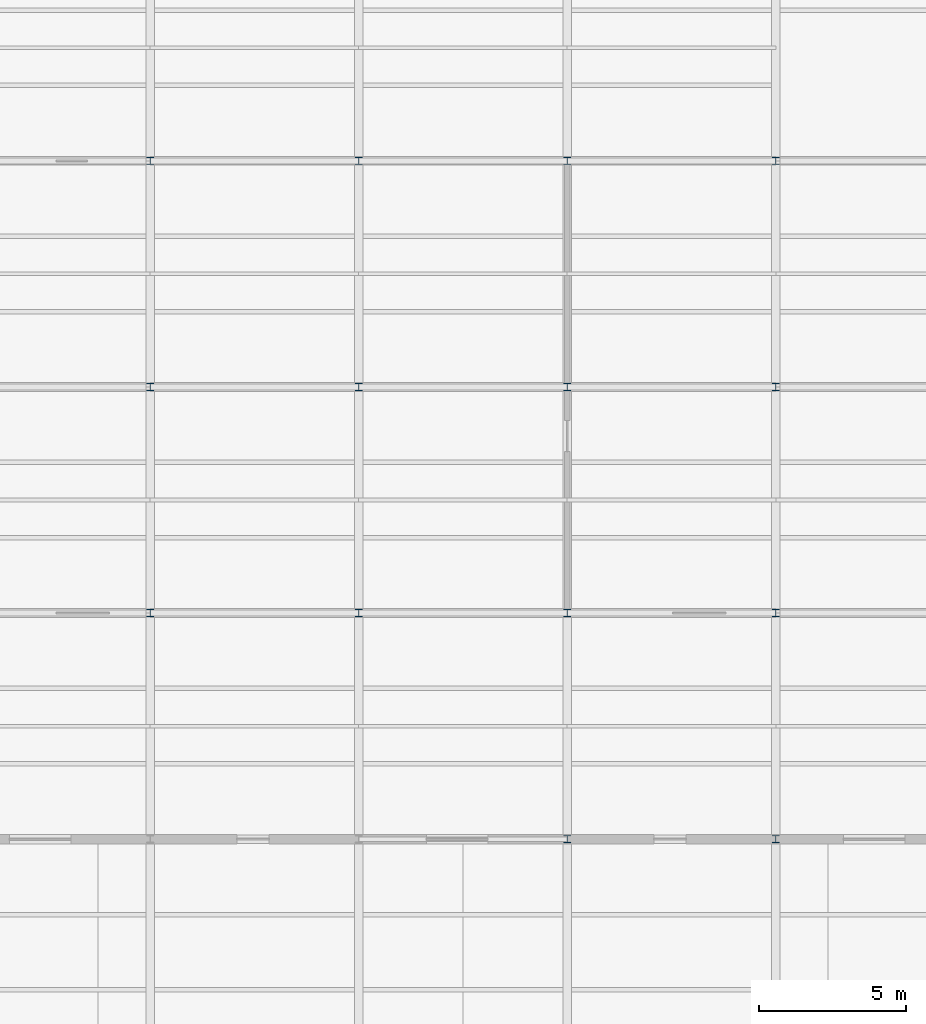
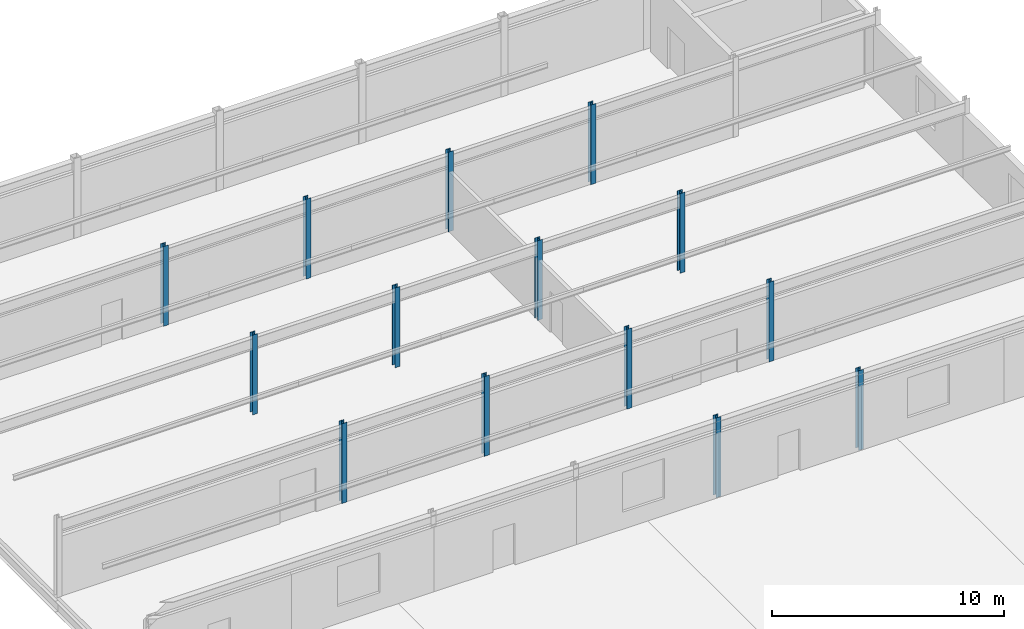
# One storey, part 11 of 39: 14 columns.
"""IFC4 building model written with IfcOpenShell, lengths in metres."""

import ifcopenshell
import ifcopenshell.guid

model = None  # the IFC model being written
_history = None  # IfcOwnerHistory: only IFC2X3 demands one
_inside = {}  # id of a spatial element -> (the spatial element, [elements in it])
_under = {}  # id of a project, library or spatial element -> (it, [spatial elements below it])
_declared = {}  # id of a project -> (the project, [libraries it declares])
_typed = {}  # id of a type object -> (the type object, [elements of that type])
_made_of = {}  # id of a material, layer set ... -> (it, [elements and type objects made of it])


def new_model(schema):
    """Start an empty IFC model of exactly this schema.

    Asked for "IFC4X3", IfcOpenShell would pick the latest addendum, in which some entities
    have other attributes; the version numbers below select the first issue.
    IFC2X3 requires an IfcOwnerHistory on every rooted entity: one is made here for all.
    """
    global model, _history
    if schema == "IFC4X3":
        model = ifcopenshell.file(schema_version=(4, 3, 0, 0))
    else:
        model = ifcopenshell.file(schema=schema)
    _inside.clear()
    _under.clear()
    _declared.clear()
    _typed.clear()
    _made_of.clear()
    _history = None
    if model.schema == "IFC2X3":
        org = make("IfcOrganization", Name="unknown")
        user = make(
            "IfcPersonAndOrganization",
            ThePerson=make("IfcPerson", FamilyName="unknown"),
            TheOrganization=org,
        )
        app = make(
            "IfcApplication",
            ApplicationDeveloper=org,
            Version="unknown",
            ApplicationFullName="unknown",
            ApplicationIdentifier="unknown",
        )
        _history = make(
            "IfcOwnerHistory",
            OwningUser=user,
            OwningApplication=app,
            ChangeAction="ADDED",
            CreationDate=0,
        )
    return model


def make(cls, **values):
    """One entity of the class cls with the attributes given. An attribute that is None is left unset."""
    return model.create_entity(
        cls, **{name: value for name, value in values.items() if value is not None}
    )


def rooted(cls, **values):
    """An entity with a GlobalId (a new one), such as an element, a storey or a relation."""
    return make(cls, GlobalId=ifcopenshell.guid.new(), OwnerHistory=_history, **values)


def si_unit(unit_type, name, prefix=None):
    """IfcSIUnit, for example si_unit("LENGTHUNIT", "METRE", prefix="MILLI")."""
    return make("IfcSIUnit", UnitType=unit_type, Prefix=prefix, Name=name)


def assignment(units):
    """IfcUnitAssignment: the units of a project."""
    return None if units is None else make("IfcUnitAssignment", Units=units)


def point(xyz):
    """IfcCartesianPoint."""
    return None if xyz is None else make("IfcCartesianPoint", Coordinates=xyz)


def direction(xyz):
    """IfcDirection."""
    return None if xyz is None else make("IfcDirection", DirectionRatios=xyz)


def frame(location, z_axis=None, x_axis=None):
    """IfcAxis2Placement3D, a coordinate frame: its origin and axes. An axis left out is left unset."""
    return make(
        "IfcAxis2Placement3D",
        Location=point(location),
        Axis=direction(z_axis),
        RefDirection=direction(x_axis),
    )


def frame_2d(location, x_axis=None):
    """IfcAxis2Placement2D, a coordinate frame in the plane: its origin and x axis."""
    return make(
        "IfcAxis2Placement2D", Location=point(location), RefDirection=direction(x_axis)
    )


def origin():
    """The frame at (0, 0, 0) with its axes left unset."""
    return frame((0.0, 0.0, 0.0))


def origin_2d():
    """The frame at (0, 0) in the plane with its x axis left unset."""
    return frame_2d((0.0, 0.0))


def place(relative_to, where):
    """IfcLocalPlacement: puts the frame where relative to a parent placement (None: the world)."""
    return make(
        "IfcLocalPlacement", PlacementRelTo=relative_to, RelativePlacement=where
    )


def context(
    kind, dimensions, precision=None, world=None, true_north=None, identifier=None
):
    """IfcGeometricRepresentationContext, for example the 3D "Model" context."""
    return make(
        "IfcGeometricRepresentationContext",
        ContextIdentifier=identifier,
        ContextType=kind,
        CoordinateSpaceDimension=dimensions,
        Precision=precision,
        WorldCoordinateSystem=world,
        TrueNorth=true_north,
    )


def subcontext(parent, identifier, kind, view, scale=None):
    """IfcGeometricRepresentationSubContext, for example "Body" below "Model"."""
    return make(
        "IfcGeometricRepresentationSubContext",
        ContextIdentifier=identifier,
        ContextType=kind,
        ParentContext=parent,
        TargetScale=scale,
        TargetView=view,
    )


def project(units=None, contexts=None):
    """IfcProject with its units and contexts."""
    return rooted(
        "IfcProject",
        Name="project",
        RepresentationContexts=contexts,
        UnitsInContext=assignment(units),
    )


def spatial(cls, under=None, at=None, **own):
    """A site, building, storey or space (cls), placed at a placement, below another one or the project."""
    s = rooted(cls, ObjectPlacement=at, **own)
    if under is not None:
        _under.setdefault(under.id(), (under, []))[1].append(s)
    return s


def profile(cls, at=None, kind="AREA", **sizes):
    """A parametric profile (cls). Its sizes go by their IFC names, for example OverallWidth=200.0."""
    return make(cls, ProfileType=kind, Position=at, **sizes)


def i_section(**sizes):
    """IfcIShapeProfileDef."""
    return profile("IfcIShapeProfileDef", **sizes)


def extrude(swept, where, along, depth):
    """IfcExtrudedAreaSolid: the profile swept, set in the frame where, extruded along a direction by depth."""
    return make(
        "IfcExtrudedAreaSolid",
        SweptArea=swept,
        Position=where,
        ExtrudedDirection=direction(along),
        Depth=depth,
    )


def shape(context_of_items, identifier, shape_type, items):
    """IfcShapeRepresentation: the items that make up one representation, for example the "Body"."""
    return make(
        "IfcShapeRepresentation",
        ContextOfItems=context_of_items,
        RepresentationIdentifier=identifier,
        RepresentationType=shape_type,
        Items=items,
    )


def material(Name=None, Category=None):
    """IfcMaterial."""
    return make("IfcMaterial", Name=Name, Category=Category)


def material_profile(
    of_material, cross_section, Name=None, Category=None, Priority=None
):
    """IfcMaterialProfile: a cross section and its material."""
    return make(
        "IfcMaterialProfile",
        Name=Name,
        Material=of_material,
        Profile=cross_section,
        Priority=Priority,
        Category=Category,
    )


def profile_set(profiles, Name=None, composite=None):
    """IfcMaterialProfileSet."""
    return make(
        "IfcMaterialProfileSet",
        Name=Name,
        MaterialProfiles=profiles,
        CompositeProfile=composite,
    )


def made_of(thing, what):
    """Note that an element or type object is made of a material, layer set ...; save() writes the relation."""
    if what is not None:
        _made_of.setdefault(what.id(), (what, []))[1].append(thing)
    return thing


def type_object(cls, material=None, **own):
    """A type object (cls), such as IfcWallType, which elements share."""
    return made_of(rooted(cls, **own), material)


def element(
    cls,
    number,
    at=None,
    inside=None,
    cuts=None,
    type_object=None,
    material=None,
    context=None,
    identifier="Body",
    shape_type=None,
    held_by="IfcProductDefinitionShape",
    body=None,
    shapes=None,
    **own,
):
    """One element of the class cls, such as IfcWall. Its Tag is "e" and its number.

    at: its placement. inside: the storey or other place that contains it. cuts: it is an
    opening in that element (IfcRelVoidsElement). A single representation is given by context,
    identifier, shape_type and body (its items); several are given by shapes. held_by: the class
    of the entity that holds the representations. save() writes the other relations.
    """
    e = rooted(cls, Tag="e%d" % number, ObjectPlacement=at, **own)
    if body is not None:
        shapes = [shape(context, identifier, shape_type, body)]
    if shapes is not None:
        e.Representation = make(held_by, Representations=shapes)
    if inside is not None:
        _inside.setdefault(inside.id(), (inside, []))[1].append(e)
    if cuts is not None:
        rooted(
            "IfcRelVoidsElement", RelatingBuildingElement=cuts, RelatedOpeningElement=e
        )
    if type_object is not None:
        _typed.setdefault(type_object.id(), (type_object, []))[1].append(e)
    return made_of(e, material)


def aggregate(whole, parts):
    """IfcRelAggregates: a whole, such as a stair, and the parts it consists of."""
    return rooted("IfcRelAggregates", RelatingObject=whole, RelatedObjects=parts)


def save(model, path):
    """Write the relations noted so far, then the file.

    IfcRelAggregates (storeys below a building ...), IfcRelContainedInSpatialStructure (elements
    in a storey), IfcRelDefinesByType, IfcRelAssociatesMaterial and IfcRelDeclares: one each for
    every whole, place, type object, material and project.
    """
    for whole, parts in _under.values():
        aggregate(whole, parts)
    for where, things in _inside.values():
        rooted(
            "IfcRelContainedInSpatialStructure",
            RelatedElements=things,
            RelatingStructure=where,
        )
    for kind, things in _typed.values():
        rooted("IfcRelDefinesByType", RelatedObjects=things, RelatingType=kind)
    for what, things in _made_of.values():
        rooted("IfcRelAssociatesMaterial", RelatedObjects=things, RelatingMaterial=what)
    for by, libraries in _declared.values():
        rooted("IfcRelDeclares", RelatingContext=by, RelatedDefinitions=libraries)
    model.write(path)


model = new_model("IFC4")

# Units and contexts
model_context = context("Model", 3, precision=1e-05, world=origin(), true_north=direction((0.0, 1.0)))
body_context = subcontext(model_context, "Body", "Model", "MODEL_VIEW")
ifc_project = project(units=[si_unit("LENGTHUNIT", "METRE"), si_unit("AREAUNIT", "SQUARE_METRE"), si_unit("VOLUMEUNIT", "CUBIC_METRE"), si_unit("PLANEANGLEUNIT", "RADIAN"), si_unit("MASSUNIT", "GRAM", prefix="KILO")], contexts=[model_context])

# Site, building, storey
site_placement = place(None, origin())
site = spatial("IfcSite", under=ifc_project, at=site_placement, CompositionType="ELEMENT")
building_placement = place(site_placement, origin())
building = spatial("IfcBuilding", under=site, at=building_placement, Name="Kazenagashi Tramway Depot", CompositionType="ELEMENT")
storey_placement = place(building_placement, frame((0.0, 0.0, 11.1)))
storey = spatial("IfcBuildingStorey", under=building, at=storey_placement, Name="L03", CompositionType="ELEMENT", Elevation=11.1)

# Columns
ifc_material = material(Name="Steel SN490B", Category="steel")
ifc_material_profile = material_profile(ifc_material, i_section(OverallWidth=0.25, OverallDepth=0.25, WebThickness=0.009, FlangeThickness=0.014, at=origin_2d()), Name="H-250x250x9x14")
ifc_profile_set = profile_set([ifc_material_profile], Name="Steel SN490B")
column_type = type_object("IfcColumnType", Name="C-06", PredefinedType="COLUMN", material=ifc_profile_set)
for number, where, z_axis, x_axis, name in (
    (1, (160.5, 46.2, 0.0), (0.0, 0.0, 1.0), (1.0, 0.0, 0.0), "Column C-06 COL-0409"),
    (2, (160.5, 53.9, 0.0), (0.0, 0.0, 1.0), (1.0, 0.0, 0.0), "Column C-06 COL-0412"),
    (3, (160.5, 61.6, 0.0), (0.0, 0.0, 1.0), (1.0, 0.0, 0.0), "Column C-06 COL-0415"),
    (4, (167.6, 46.2, 0.0), (0.0, 0.0, 1.0), (1.0, 0.0, 0.0), "Column C-06 COL-0434"),
    (5, (167.6, 53.9, 0.0), (0.0, 0.0, 1.0), (1.0, 0.0, 0.0), "Column C-06 COL-0437"),
    (6, (167.6, 61.6, 0.0), (0.0, 0.0, 1.0), (1.0, 0.0, 0.0), "Column C-06 COL-0440"),
    (7, (174.7, 38.5, 0.0), (0.0, 0.0, 1.0), (1.0, 0.0, 0.0), "Column C-06 COL-0456"),
    (8, (174.7, 46.2, 0.0), (0.0, 0.0, 1.0), (1.0, 0.0, 0.0), "Column C-06 COL-0459"),
    (9, (174.7, 53.9, 0.0), (0.0, 0.0, 1.0), (1.0, 0.0, 0.0), "Column C-06 COL-0462"),
    (10, (174.7, 61.6, 0.0), (0.0, 0.0, 1.0), (1.0, 0.0, 0.0), "Column C-06 COL-0465"),
    (11, (181.8, 38.5, 0.0), (0.0, 0.0, 1.0), (1.0, 0.0, 0.0), "Column C-06 COL-0481"),
    (12, (181.8, 46.2, 0.0), (0.0, 0.0, 1.0), (1.0, 0.0, 0.0), "Column C-06 COL-0484"),
    (13, (181.8, 53.9, 0.0), (0.0, 0.0, 1.0), (1.0, 0.0, 0.0), "Column C-06 COL-0487"),
    (14, (181.8, 61.6, 0.0), (0.0, 0.0, 1.0), (1.0, 0.0, 0.0), "Column C-06 COL-0490"),
):
    element("IfcColumn", number, at=place(storey_placement, frame(where, z_axis=z_axis, x_axis=x_axis)), inside=storey, type_object=column_type, Name=name, PredefinedType="COLUMN", context=body_context, shape_type="SweptSolid", body=[
        extrude(i_section(OverallWidth=0.25, OverallDepth=0.25, WebThickness=0.009, FlangeThickness=0.014, at=origin_2d()), origin(), (0.0, 0.0, 1.0), 4.2),
    ])

save(model, "model.ifc")
